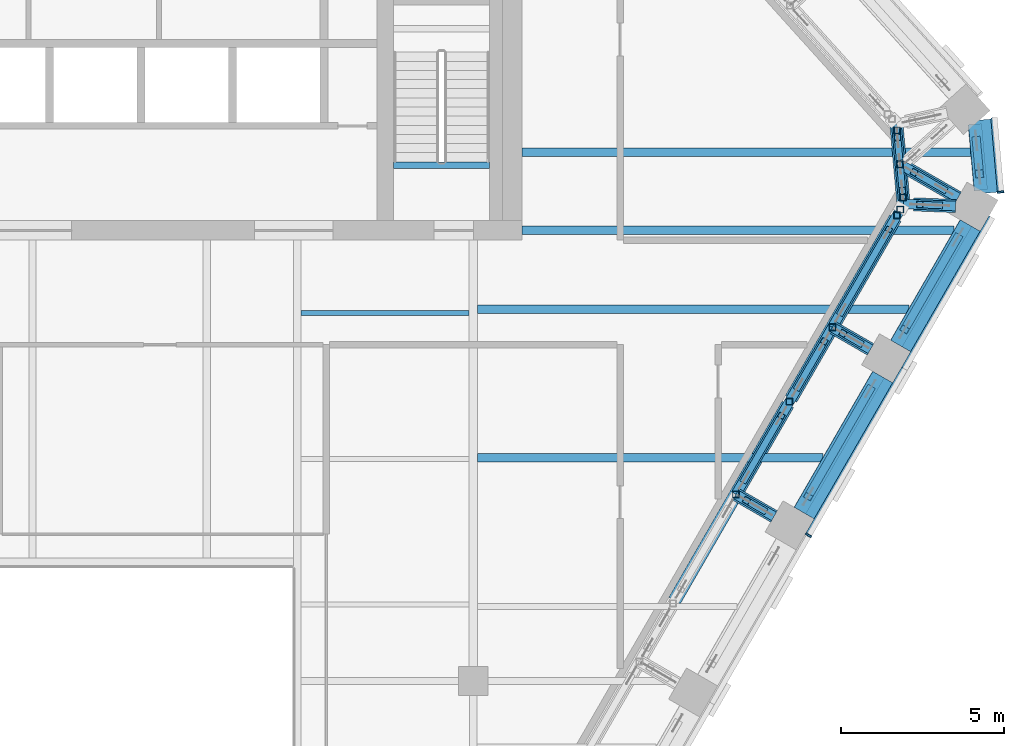
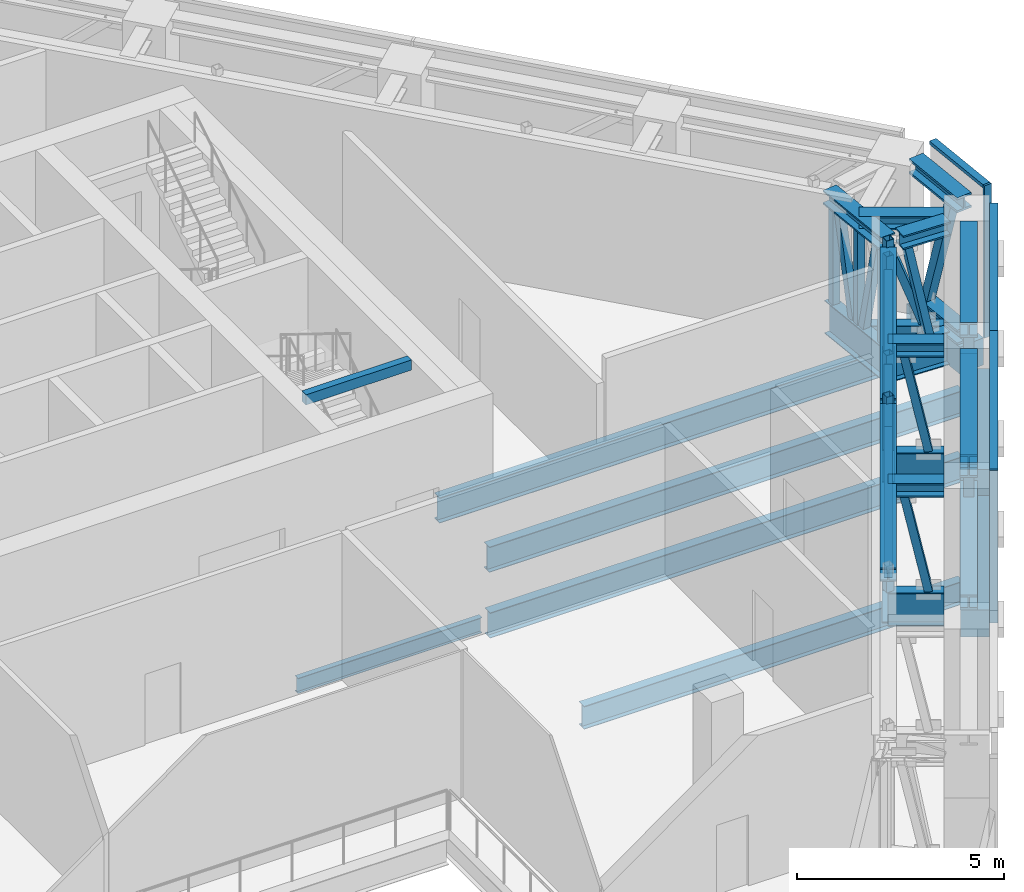
# One storey, part 9 of 25: 45 members, 9 beams, 2 elements without a shape of their own.
"""IFC4 building model written with IfcOpenShell, lengths in metres."""

from ifc_helpers import new_model, si_unit, direction, frame, origin, origin_2d, place, context, subcontext, project, spatial, rectangle, hollow_rectangle, i_section, extrude, material, layer, layer_set, material_profile, profile_set, type_object, element, aggregate, save


model = new_model("IFC4")

# Units and contexts
model_context = context("Model", 3, precision=1e-05, world=origin(), true_north=direction((0.0, 1.0)))
body_context = subcontext(model_context, "Body", "Model", "MODEL_VIEW")
ifc_project = project(units=[si_unit("LENGTHUNIT", "METRE"), si_unit("AREAUNIT", "SQUARE_METRE"), si_unit("VOLUMEUNIT", "CUBIC_METRE"), si_unit("PLANEANGLEUNIT", "RADIAN"), si_unit("MASSUNIT", "GRAM", prefix="KILO")], contexts=[model_context])

# Site, building, storey
site_placement = place(None, origin())
site = spatial("IfcSite", under=ifc_project, at=site_placement, CompositionType="ELEMENT")
building_placement = place(site_placement, origin())
building = spatial("IfcBuilding", under=site, at=building_placement, Name="Isthmus Gate Tower", CompositionType="ELEMENT")
storey_placement = place(building_placement, frame((0.0, 0.0, 256.449951171875)))
storey = spatial("IfcBuildingStorey", under=building, at=storey_placement, Name="L65", CompositionType="ELEMENT", Elevation=256.449951171875)

# Members
ifc_material_1 = material(Name="Structural steel ASTM A913 Gr 65", Category="steel")
ifc_material_profile_1 = material_profile(ifc_material_1, i_section(OverallWidth=0.416015625, OverallDepth=0.444580078125, WebThickness=0.039794921875, FlangeThickness=0.0634765625, at=origin_2d()), Name="W14X342")
ifc_profile_set_1 = profile_set([ifc_material_profile_1], Name="Structural steel ASTM A913 Gr 65")
member_type_1 = type_object("IfcMemberType", Name="BELT TRUSS CHORD W14X342", PredefinedType="CHORD", material=ifc_profile_set_1)
for number, where, z_axis, x_axis, name in (
    (1, (28.865478515625, 3.552978515625, 0.222412109375), (0.089450203397, -0.995991295701, 0.0), (0.995991295701, 0.089450203397, 0.0), "str-belt05-L65-01"),
    (2, (28.865478515625, 3.552978515625, 4.127685546875), (0.089450203397, -0.995991295701, 0.0), (0.995991295701, 0.089450203397, 0.0), "str-belt05-L65-02"),
):
    element("IfcMember", number, at=place(storey_placement, frame(where, z_axis=z_axis, x_axis=x_axis)), inside=storey, type_object=member_type_1, Name=name, PredefinedType="CHORD", context=body_context, shape_type="SweptSolid", body=[
        extrude(i_section(OverallWidth=0.416015625, OverallDepth=0.444580078125, WebThickness=0.039794921875, FlangeThickness=0.0634765625, at=origin_2d()), origin(), (0.0, 0.0, 1.0), 2.02783203125),
    ])
for number, where, z_axis, x_axis, name in (
    (3, (28.59326171875, 0.52490234375, 0.222412109375), (-0.500021719575, -0.866012863619, 0.0), (0.866012863619, -0.500021719575, 0.0), "str-belt06-L65-01"),
    (4, (28.59326171875, 0.52490234375, 4.127685546875), (-0.500021719575, -0.866012863619, 0.0), (0.866012863619, -0.500021719575, 0.0), "str-belt06-L65-02"),
):
    element("IfcMember", number, at=place(storey_placement, frame(where, z_axis=z_axis, x_axis=x_axis)), inside=storey, type_object=member_type_1, Name=name, PredefinedType="CHORD", context=body_context, shape_type="SweptSolid", body=[
        extrude(i_section(OverallWidth=0.416015625, OverallDepth=0.444580078125, WebThickness=0.039794921875, FlangeThickness=0.0634765625, at=origin_2d()), origin(), (0.0, 0.0, 1.0), 4.260498046875),
    ])
for number, where, z_axis, x_axis, name in (
    (5, (25.912841796875, -4.117431640625, 0.222412109375), (-0.500003616288, -0.866023315909, 0.0), (0.866023315909, -0.500003616288, 0.0), "str-belt07-L65-01"),
    (6, (25.912841796875, -4.117431640625, 4.127685546875), (-0.500003616288, -0.866023315909, 0.0), (0.866023315909, -0.500003616288, 0.0), "str-belt07-L65-02"),
):
    element("IfcMember", number, at=place(storey_placement, frame(where, z_axis=z_axis, x_axis=x_axis)), inside=storey, type_object=member_type_1, Name=name, PredefinedType="CHORD", context=body_context, shape_type="SweptSolid", body=[
        extrude(i_section(OverallWidth=0.416015625, OverallDepth=0.444580078125, WebThickness=0.039794921875, FlangeThickness=0.0634765625, at=origin_2d()), origin(), (0.0, 0.0, 1.0), 4.810546875),
    ])

# Curtain wall, member
ifc_material_2 = material(Name="Aluminium, pale champagne anodised", Category="aluminium")
ifc_layer = layer(ifc_material_2, 0.199951171875)
ifc_layer_set = layer_set([ifc_layer], Name="CW-2 LOUVRE CURTAIN WALL 200 DEEP")
curtain_wall_type = type_object("IfcCurtainWallType", Name="CW-2 LOUVRE CURTAIN WALL 200 DEEP", PredefinedType="NOTDEFINED", material=ifc_layer_set)
curtain_wall_1_placement = place(storey_placement, origin())
curtain_wall_1 = element("IfcCurtainWall", 7, at=curtain_wall_1_placement, inside=storey, type_object=curtain_wall_type, Name="CW-2 SE L65", PredefinedType="NOTDEFINED")
ifc_material_3 = material(Name="Aluminium, pale champagne anodised", Category="aluminium")
ifc_material_profile_2 = material_profile(ifc_material_3, rectangle(XDim=0.06005859375, YDim=0.199951171875, at=origin_2d()), Name="60x200")
ifc_profile_set_2 = profile_set([ifc_material_profile_2], Name="Aluminium, pale champagne anodised")
member_type_2 = type_object("IfcMemberType", Name="CW-2 MULLION 60 X 200", PredefinedType="MULLION", material=ifc_profile_set_2)
member_1_placement = place(storey_placement, frame((23.767333984375, -9.033935546875, 0.0), z_axis=(0.0, 0.0, 1.0), x_axis=(0.5, 0.866025403784, 0.0)))
member_1 = element("IfcMember", 8, at=member_1_placement, type_object=member_type_2, Name="CW-2 mullion", PredefinedType="MULLION", context=body_context, shape_type="SweptSolid", body=[
    extrude(rectangle(XDim=0.06005859375, YDim=0.199951171875, at=origin_2d()), origin(), (0.0, 0.0, 1.0), 4.5),
])

curtain_wall_2_placement = place(storey_placement, origin())
curtain_wall_2 = element("IfcCurtainWall", 9, at=curtain_wall_2_placement, inside=storey, type_object=curtain_wall_type, Name="CW-2 SE-NE L65", PredefinedType="NOTDEFINED")
member_2_placement = place(storey_placement, frame((29.654296875, 1.4765625, 0.0), z_axis=(0.0, 0.0, 1.0), x_axis=(-0.089396669717, 0.995996102123, 0.0)))
member_2 = element("IfcMember", 10, at=member_2_placement, type_object=member_type_2, Name="CW-2 mullion", PredefinedType="MULLION", context=body_context, shape_type="SweptSolid", body=[
    extrude(rectangle(XDim=0.06005859375, YDim=0.199951171875, at=origin_2d()), origin(), (0.0, 0.0, 1.0), 4.5),
])

# Member
ifc_material_4 = material(Name="Aluminium, pale champagne anodised", Category="aluminium")
ifc_material_profile_3 = material_profile(ifc_material_4, rectangle(XDim=0.199951171875, YDim=0.10009765625, at=origin_2d()), Name="200x100")
ifc_profile_set_3 = profile_set([ifc_material_profile_3], Name="Aluminium, pale champagne anodised")
member_type_3 = type_object("IfcMemberType", Name="CW-2 TRANSOM 200 X 100", PredefinedType="USERDEFINED", material=ifc_profile_set_3)
member_3_placement = place(storey_placement, frame((23.7822265625, -9.0078125, 4.449951171875), z_axis=(0.500007820066, 0.86602088882, 0.0), x_axis=(-0.86602088882, 0.500007820066, 0.0)))
member_3 = element("IfcMember", 11, at=member_3_placement, type_object=member_type_3, Name="CW-2 transom", ObjectType="TRANSOM", PredefinedType="USERDEFINED", context=body_context, shape_type="SweptSolid", body=[
    extrude(rectangle(XDim=0.199951171875, YDim=0.10009765625, at=origin_2d()), origin(), (0.0, 0.0, 1.0), 5.8505859375),
])

member_4_placement = place(storey_placement, frame((26.70751953125, -3.941162109375, 4.449951171875), z_axis=(0.50002338526, 0.866011901877, 0.0), x_axis=(-0.866011901877, 0.50002338526, 0.0)))
member_4 = element("IfcMember", 12, at=member_4_placement, type_object=member_type_3, Name="CW-2 transom", ObjectType="TRANSOM", PredefinedType="USERDEFINED", context=body_context, shape_type="SweptSolid", body=[
    extrude(rectangle(XDim=0.199951171875, YDim=0.10009765625, at=origin_2d()), origin(), (0.0, 0.0, 1.0), 5.360595703125),
])

aggregate(curtain_wall_1, [member_1, member_3, member_4])

member_5_placement = place(storey_placement, frame((29.651611328125, 1.506591796875, 4.449951171875), z_axis=(-0.089395362867, 0.995996219419, 0.0), x_axis=(-0.995996219419, -0.089395362867, 0.0)))
member_5 = element("IfcMember", 13, at=member_5_placement, type_object=member_type_3, Name="CW-2 transom", ObjectType="TRANSOM", PredefinedType="USERDEFINED", context=body_context, shape_type="SweptSolid", body=[
    extrude(rectangle(XDim=0.199951171875, YDim=0.10009765625, at=origin_2d()), origin(), (0.0, 0.0, 1.0), 2.258544921875),
])

aggregate(curtain_wall_2, [member_2, member_5])

# Beams
ifc_material_5 = material(Name="Concrete f'c 50 MPa", Category="concrete")
ifc_material_profile_4 = material_profile(ifc_material_5, rectangle(XDim=0.699951171875, YDim=0.800048828125, at=origin_2d()), Name="RC 700X800")
ifc_profile_set_4 = profile_set([ifc_material_profile_4], Name="Concrete f'c 50 MPa")
beam_type_1 = type_object("IfcBeamType", Name="RC SPANDREL 700 X 800", PredefinedType="SPANDREL", material=ifc_profile_set_4)
beam_1_placement = place(storey_placement, frame((29.0048828125, 3.678466796875, -0.39990234375), z_axis=(0.089359478208, -0.995999439585, 0.0), x_axis=(0.995999439585, 0.089359478208, 0.0)))
element("IfcBeam", 14, at=beam_1_placement, inside=storey, type_object=beam_type_1, Name="str-spandrel-L65-05", PredefinedType="SPANDREL", context=body_context, shape_type="SweptSolid", body=[
    extrude(rectangle(XDim=0.699951171875, YDim=0.800048828125, at=origin_2d()), origin(), (0.0, 0.0, 1.0), 2.245849609375),
])
beam_2_placement = place(storey_placement, frame((28.72314453125, 0.449951171875, -0.39990234375), z_axis=(-0.500021719575, -0.866012863619, 0.0), x_axis=(0.866012863619, -0.500021719575, 0.0)))
element("IfcBeam", 15, at=beam_2_placement, inside=storey, type_object=beam_type_1, Name="str-spandrel-L65-06", PredefinedType="SPANDREL", context=body_context, shape_type="SweptSolid", body=[
    extrude(rectangle(XDim=0.699951171875, YDim=0.800048828125, at=origin_2d()), origin(), (0.0, 0.0, 1.0), 4.260498046875),
])
beam_3_placement = place(storey_placement, frame((26.04296875, -4.1923828125, -0.39990234375), z_axis=(-0.500019702373, -0.866014028315, 0.0), x_axis=(0.866014028315, -0.500019702373, 0.0)))
element("IfcBeam", 16, at=beam_3_placement, inside=storey, type_object=beam_type_1, Name="str-spandrel-L65-07", PredefinedType="SPANDREL", context=body_context, shape_type="SweptSolid", body=[
    extrude(rectangle(XDim=0.699951171875, YDim=0.800048828125, at=origin_2d()), origin(), (0.0, 0.0, 1.0), 4.810791015625),
])
ifc_material_6 = material(Name="Concrete f'c 40 MPa", Category="concrete")
ifc_material_profile_5 = material_profile(ifc_material_6, rectangle(XDim=0.199951171875, YDim=0.300048828125, at=origin_2d()), Name="STAIR LANDING BEAM RC 200 X 300")
ifc_profile_set_5 = profile_set([ifc_material_profile_5], Name="Concrete f'c 40 MPa")
beam_type_2 = type_object("IfcBeamType", Name="STAIR LANDING BEAM RC 200 X 300", PredefinedType="BEAM", material=ifc_profile_set_5)
beam_4_placement = place(storey_placement, frame((11.050048828125, 2.2998046875, 4.199951171875), z_axis=(1.0, 0.0, 0.0), x_axis=(0.0, 1.0, 0.0)))
element("IfcBeam", 17, at=beam_4_placement, inside=storey, type_object=beam_type_2, Name="L65 ST8 floor-edge seat beam", PredefinedType="BEAM", context=body_context, shape_type="SweptSolid", body=[
    extrude(rectangle(XDim=0.199951171875, YDim=0.300048828125, at=origin_2d()), origin(), (0.0, 0.0, 1.0), 2.949951171875),
])
ifc_material_7 = material(Name="Structural steel ASTM A992 Gr 50", Category="steel")
ifc_material_profile_6 = material_profile(ifc_material_7, i_section(OverallWidth=0.15234375, OverallDepth=0.45068359375, WebThickness=0.0078125, FlangeThickness=0.010986328125, at=origin_2d()), Name="W18X35")
ifc_profile_set_6 = profile_set([ifc_material_profile_6], Name="Structural steel ASTM A992 Gr 50")
beam_type_3 = type_object("IfcBeamType", Name="STEEL FLOOR BEAM W18X35", PredefinedType="JOIST", material=ifc_profile_set_6)
beam_5_placement = place(storey_placement, frame((8.228515625, -2.232421875, -0.525390625), z_axis=(1.0, 0.0, 0.0), x_axis=(0.0, 1.0, 0.0)))
element("IfcBeam", 18, at=beam_5_placement, inside=storey, type_object=beam_type_3, Name="str-beam-L65-10-02", PredefinedType="JOIST", context=body_context, shape_type="SweptSolid", body=[
    extrude(i_section(OverallWidth=0.15234375, OverallDepth=0.45068359375, WebThickness=0.0078125, FlangeThickness=0.010986328125, at=origin_2d()), origin(), (0.0, 0.0, 1.0), 5.1396484375),
])
ifc_material_8 = material(Name="Structural steel ASTM A992 Gr 50", Category="steel")
ifc_material_profile_7 = material_profile(ifc_material_8, i_section(OverallWidth=0.25390625, OverallDepth=0.679443359375, WebThickness=0.010986328125, FlangeThickness=0.015869140625, at=origin_2d()), Name="W27X84")
ifc_profile_set_7 = profile_set([ifc_material_profile_7], Name="Structural steel ASTM A992 Gr 50")
beam_type_4 = type_object("IfcBeamType", Name="STEEL FLOOR BEAM W27X84", PredefinedType="JOIST", material=ifc_profile_set_7)
beam_6_placement = place(storey_placement, frame((13.6318359375, -6.665771484375, -0.6396484375), z_axis=(1.0, 0.0, 0.0), x_axis=(0.0, 1.0, 0.0)))
element("IfcBeam", 19, at=beam_6_placement, inside=storey, type_object=beam_type_4, Name="str-beam-L65-12-01", PredefinedType="JOIST", context=body_context, shape_type="SweptSolid", body=[
    extrude(i_section(OverallWidth=0.25390625, OverallDepth=0.679443359375, WebThickness=0.010986328125, FlangeThickness=0.015869140625, at=origin_2d()), origin(), (0.0, 0.0, 1.0), 10.578857421875),
])
ifc_material_9 = material(Name="Structural steel ASTM A992 Gr 50", Category="steel")
ifc_material_profile_8 = material_profile(ifc_material_9, i_section(OverallWidth=0.263427734375, OverallDepth=0.749267578125, WebThickness=0.0126953125, FlangeThickness=0.015869140625, at=origin_2d()), Name="W30X90")
ifc_profile_set_8 = profile_set([ifc_material_profile_8], Name="Structural steel ASTM A992 Gr 50")
beam_type_5 = type_object("IfcBeamType", Name="STEEL FLOOR BEAM W30X90", PredefinedType="JOIST", material=ifc_profile_set_8)
beam_7_placement = place(storey_placement, frame((13.6318359375, -2.10986328125, -0.674560546875), z_axis=(1.0, 0.0, 0.0), x_axis=(0.0, 1.0, 0.0)))
element("IfcBeam", 20, at=beam_7_placement, inside=storey, type_object=beam_type_5, Name="str-beam-L65-12-02", PredefinedType="JOIST", context=body_context, shape_type="SweptSolid", body=[
    extrude(i_section(OverallWidth=0.263427734375, OverallDepth=0.749267578125, WebThickness=0.0126953125, FlangeThickness=0.015869140625, at=origin_2d()), origin(), (0.0, 0.0, 1.0), 13.209228515625),
])
beam_8_placement = place(storey_placement, frame((15.0, 2.699951171875, -0.674560546875), z_axis=(1.0, 0.0, 0.0), x_axis=(0.0, 1.0, 0.0)))
element("IfcBeam", 21, at=beam_8_placement, inside=storey, type_object=beam_type_5, Name="str-beam-L65-13-00", PredefinedType="JOIST", context=body_context, shape_type="SweptSolid", body=[
    extrude(i_section(OverallWidth=0.263427734375, OverallDepth=0.749267578125, WebThickness=0.0126953125, FlangeThickness=0.015869140625, at=origin_2d()), origin(), (0.0, 0.0, 1.0), 13.7412109375),
])
ifc_material_10 = material(Name="Structural steel ASTM A992 Gr 50", Category="steel")
ifc_material_profile_9 = material_profile(ifc_material_10, i_section(OverallWidth=0.263427734375, OverallDepth=0.749267578125, WebThickness=0.0126953125, FlangeThickness=0.015869140625, at=origin_2d()), Name="W30X90")
ifc_profile_set_9 = profile_set([ifc_material_profile_9], Name="Structural steel ASTM A992 Gr 50")
beam_type_6 = type_object("IfcBeamType", Name="STEEL GIRDER W30X90", PredefinedType="BEAM", material=ifc_profile_set_9)
beam_9_placement = place(storey_placement, frame((15.0, 0.300048828125, -0.674560546875), z_axis=(1.0, 0.0, 0.0), x_axis=(0.0, 1.0, 0.0)))
element("IfcBeam", 22, at=beam_9_placement, inside=storey, type_object=beam_type_6, Name="str-girder-L65-10", PredefinedType="BEAM", context=body_context, shape_type="SweptSolid", body=[
    extrude(i_section(OverallWidth=0.263427734375, OverallDepth=0.749267578125, WebThickness=0.0126953125, FlangeThickness=0.015869140625, at=origin_2d()), origin(), (0.0, 0.0, 1.0), 13.232421875),
])

# Members
ifc_material_11 = material(Name="Structural steel ASTM A913 Gr 65", Category="steel")
ifc_material_profile_10 = material_profile(ifc_material_11, i_section(OverallWidth=0.4033203125, OverallDepth=0.406494140625, WebThickness=0.027099609375, FlangeThickness=0.04443359375, at=origin_2d()), Name="W14X233")
ifc_profile_set_10 = profile_set([ifc_material_profile_10], Name="Structural steel ASTM A913 Gr 65")
member_type_4 = type_object("IfcMemberType", Name="TRANSFER TRUSS CHORD W14X233", PredefinedType="CHORD", material=ifc_profile_set_10)
member_6_placement = place(storey_placement, frame((26.459716796875, 3.56298828125, 4.046875), z_axis=(0.089337705809, -0.99600139273, 0.0), x_axis=(0.99600139273, 0.089337705809, 0.0)))
element("IfcMember", 23, at=member_6_placement, inside=storey, type_object=member_type_4, Name="str-ring02-L65-05", PredefinedType="CHORD", context=body_context, shape_type="SweptSolid", body=[
    extrude(i_section(OverallWidth=0.4033203125, OverallDepth=0.406494140625, WebThickness=0.027099609375, FlangeThickness=0.04443359375, at=origin_2d()), origin(), (0.0, 0.0, 1.0), 2.462158203125),
])
member_7_placement = place(storey_placement, frame((26.428955078125, 0.67626953125, 4.046875), z_axis=(-0.499985980801, -0.866033497622, 0.0), x_axis=(0.866033497622, -0.499985980801, 0.0)))
element("IfcMember", 24, at=member_7_placement, inside=storey, type_object=member_type_4, Name="str-ring03-L65-15", PredefinedType="CHORD", context=body_context, shape_type="SweptSolid", body=[
    extrude(i_section(OverallWidth=0.4033203125, OverallDepth=0.406494140625, WebThickness=0.027099609375, FlangeThickness=0.04443359375, at=origin_2d()), origin(), (0.0, 0.0, 1.0), 6.388916015625),
])
member_8_placement = place(storey_placement, frame((23.1328125, -5.03271484375, 4.046875), z_axis=(-0.50000294753, -0.86602370202, 0.0), x_axis=(0.86602370202, -0.50000294753, 0.0)))
element("IfcMember", 25, at=member_8_placement, inside=storey, type_object=member_type_4, Name="str-ring03-L65-16", PredefinedType="CHORD", context=body_context, shape_type="SweptSolid", body=[
    extrude(i_section(OverallWidth=0.4033203125, OverallDepth=0.406494140625, WebThickness=0.027099609375, FlangeThickness=0.04443359375, at=origin_2d()), origin(), (0.0, 0.0, 1.0), 6.931640625),
])
for number, where, z_axis, x_axis, name in (
    (26, (22.713134765625, -8.4599609375, 4.046875), (-0.866019956843, 0.50000943426, 0.0), (-0.50000943426, -0.866019956843, 0.0), "str-link22-L65-02"),
    (27, (25.66845703125, -3.341064453125, 4.046875), (-0.866019956843, 0.50000943426, 0.0), (-0.50000943426, -0.866019956843, 0.0), "str-link23-L65-02"),
):
    element("IfcMember", number, at=place(storey_placement, frame(where, z_axis=z_axis, x_axis=x_axis)), inside=storey, type_object=member_type_4, Name=name, PredefinedType="CHORD", context=body_context, shape_type="SweptSolid", body=[
        extrude(i_section(OverallWidth=0.4033203125, OverallDepth=0.406494140625, WebThickness=0.027099609375, FlangeThickness=0.04443359375, at=origin_2d()), origin(), (0.0, 0.0, 1.0), 1.35009765625),
    ])
member_9_placement = place(storey_placement, frame((28.3486328125, 1.30126953125, 4.046875), z_axis=(-0.866017268904, 0.500014089762, 0.0), x_axis=(-0.500014089762, -0.866017268904, 0.0)))
element("IfcMember", 28, at=member_9_placement, inside=storey, type_object=member_type_4, Name="str-link24-L65-02", PredefinedType="CHORD", context=body_context, shape_type="SweptSolid", body=[
    extrude(i_section(OverallWidth=0.4033203125, OverallDepth=0.406494140625, WebThickness=0.027099609375, FlangeThickness=0.04443359375, at=origin_2d()), origin(), (0.0, 0.0, 1.0), 2.05322265625),
])
member_10_placement = place(storey_placement, frame((28.275390625, 1.0478515625, 4.046875), z_axis=(-0.999226132338, 0.039333655474, 0.0), x_axis=(-0.039333655474, -0.999226132338, 0.0)))
element("IfcMember", 29, at=member_10_placement, inside=storey, type_object=member_type_4, Name="str-link33-L65-02", PredefinedType="CHORD", context=body_context, shape_type="SweptSolid", body=[
    extrude(i_section(OverallWidth=0.4033203125, OverallDepth=0.406494140625, WebThickness=0.027099609375, FlangeThickness=0.04443359375, at=origin_2d()), origin(), (0.0, 0.0, 1.0), 1.291015625),
])
ifc_material_12 = material(Name="Structural steel ASTM A913 Gr 65", Category="steel")
ifc_material_profile_11 = material_profile(ifc_material_12, i_section(OverallWidth=0.29833984375, OverallDepth=0.981201171875, WebThickness=0.015869140625, FlangeThickness=0.025390625, at=origin_2d()), Name="W40X167")
ifc_profile_set_11 = profile_set([ifc_material_profile_11], Name="Structural steel ASTM A913 Gr 65")
member_type_5 = type_object("IfcMemberType", Name="TRANSFER TRUSS CHORD W40X167", PredefinedType="CHORD", material=ifc_profile_set_11)
member_11_placement = place(storey_placement, frame((26.459716796875, 3.56298828125, 0.490478515625), z_axis=(0.089337705809, -0.99600139273, 0.0), x_axis=(0.99600139273, 0.089337705809, 0.0)))
element("IfcMember", 30, at=member_11_placement, inside=storey, type_object=member_type_5, Name="str-ring02-L65-04", PredefinedType="CHORD", context=body_context, shape_type="SweptSolid", body=[
    extrude(i_section(OverallWidth=0.29833984375, OverallDepth=0.981201171875, WebThickness=0.015869140625, FlangeThickness=0.025390625, at=origin_2d()), origin(), (0.0, 0.0, 1.0), 2.462158203125),
])
member_12_placement = place(storey_placement, frame((26.6796875, 1.110595703125, 0.490478515625), z_axis=(-0.499998685169, -0.866026162901, 0.0), x_axis=(0.866026162901, -0.499998685169, 0.0)))
element("IfcMember", 31, at=member_12_placement, inside=storey, type_object=member_type_5, Name="str-ring03-L65-10", PredefinedType="CHORD", context=body_context, shape_type="SweptSolid", body=[
    extrude(i_section(OverallWidth=0.29833984375, OverallDepth=0.981201171875, WebThickness=0.015869140625, FlangeThickness=0.025390625, at=origin_2d()), origin(), (0.0, 0.0, 1.0), 4.36083984375),
])
member_13_placement = place(storey_placement, frame((24.499267578125, -2.666015625, 0.490478515625), z_axis=(-0.500003703423, -0.866023265602, 0.0), x_axis=(0.866023265602, -0.500003703423, 0.0)))
element("IfcMember", 32, at=member_13_placement, inside=storey, type_object=member_type_5, Name="str-ring03-L65-11", PredefinedType="CHORD", context=body_context, shape_type="SweptSolid", body=[
    extrude(i_section(OverallWidth=0.29833984375, OverallDepth=0.981201171875, WebThickness=0.015869140625, FlangeThickness=0.025390625, at=origin_2d()), origin(), (0.0, 0.0, 1.0), 5.9111328125),
])
for number, where, z_axis, x_axis, name in (
    (33, (22.713134765625, -8.4599609375, 0.490478515625), (-0.866019956843, 0.50000943426, 0.0), (-0.50000943426, -0.866019956843, 0.0), "str-link22-L65-01"),
    (34, (25.66845703125, -3.341064453125, 0.490478515625), (-0.866019956843, 0.50000943426, 0.0), (-0.50000943426, -0.866019956843, 0.0), "str-link23-L65-01"),
):
    element("IfcMember", number, at=place(storey_placement, frame(where, z_axis=z_axis, x_axis=x_axis)), inside=storey, type_object=member_type_5, Name=name, PredefinedType="CHORD", context=body_context, shape_type="SweptSolid", body=[
        extrude(i_section(OverallWidth=0.29833984375, OverallDepth=0.981201171875, WebThickness=0.015869140625, FlangeThickness=0.025390625, at=origin_2d()), origin(), (0.0, 0.0, 1.0), 1.35009765625),
    ])
member_14_placement = place(storey_placement, frame((28.3486328125, 1.30126953125, 0.490478515625), z_axis=(-0.866017268904, 0.500014089762, 0.0), x_axis=(-0.500014089762, -0.866017268904, 0.0)))
element("IfcMember", 35, at=member_14_placement, inside=storey, type_object=member_type_5, Name="str-link24-L65-01", PredefinedType="CHORD", context=body_context, shape_type="SweptSolid", body=[
    extrude(i_section(OverallWidth=0.29833984375, OverallDepth=0.981201171875, WebThickness=0.015869140625, FlangeThickness=0.025390625, at=origin_2d()), origin(), (0.0, 0.0, 1.0), 2.05322265625),
])
member_15_placement = place(storey_placement, frame((28.275390625, 1.0478515625, 0.490478515625), z_axis=(-0.999227837123, 0.039290323461, 0.0), x_axis=(-0.039290323461, -0.999227837123, 0.0)))
element("IfcMember", 36, at=member_15_placement, inside=storey, type_object=member_type_5, Name="str-link33-L65-01", PredefinedType="CHORD", context=body_context, shape_type="SweptSolid", body=[
    extrude(i_section(OverallWidth=0.29833984375, OverallDepth=0.981201171875, WebThickness=0.015869140625, FlangeThickness=0.025390625, at=origin_2d()), origin(), (0.0, 0.0, 1.0), 1.596923828125),
])
ifc_material_13 = material(Name="Structural steel ASTM A500 Gr C", Category="steel")
ifc_material_profile_12 = material_profile(ifc_material_13, hollow_rectangle(XDim=0.203125, YDim=0.203125, WallThickness=0.01171875, at=origin_2d()), Name="HSS8X8X1/2")
ifc_profile_set_12 = profile_set([ifc_material_profile_12], Name="Structural steel ASTM A500 Gr C")
member_type_6 = type_object("IfcMemberType", Name="TRANSFER TRUSS DIAGONAL HSS8X8X1/2", PredefinedType="BRACE", material=ifc_profile_set_12)
for number, where, z_axis, x_axis, name in (
    (37, (26.55078125, 2.547119140625, 0.981201171875), (-0.018364487949, 0.204263190963, 0.978743732751), (-0.995982792172, -0.089544836239, 0.0), "str-ring02-L65-06"),
    (38, (26.58935546875, 2.11767578125, 0.981201171875), (0.018364487949, -0.204263190963, 0.978743732751), (0.995982792172, 0.089544836239, 0.0), "str-ring02-L65-07"),
):
    element("IfcMember", number, at=place(storey_placement, frame(where, z_axis=z_axis, x_axis=x_axis)), inside=storey, type_object=member_type_6, Name=name, PredefinedType="BRACE", context=body_context, shape_type="SweptSolid", body=[
        extrude(hollow_rectangle(XDim=0.203125, YDim=0.203125, WallThickness=0.01171875, at=origin_2d()), origin(), (0.0, 0.0, 1.0), 2.9248046875),
    ])
member_16_placement = place(storey_placement, frame((24.749267578125, -2.233154296875, 0.981201171875), z_axis=(0.359464229281, 0.622660333834, 0.695039262586), x_axis=(-0.866042797968, 0.49996987118, 0.0)))
element("IfcMember", 39, at=member_16_placement, inside=storey, type_object=member_type_6, Name="str-ring03-L65-19", PredefinedType="BRACE", context=body_context, shape_type="SweptSolid", body=[
    extrude(hollow_rectangle(XDim=0.203125, YDim=0.203125, WallThickness=0.01171875, at=origin_2d()), origin(), (0.0, 0.0, 1.0), 4.11865234375),
])
member_17_placement = place(storey_placement, frame((23.433837890625, -4.51171875, 0.981201171875), z_axis=(0.247503153628, 0.428758457154, 0.86885463362), x_axis=(-0.866060962434, 0.499938405553, 0.0)))
element("IfcMember", 40, at=member_17_placement, inside=storey, type_object=member_type_6, Name="str-ring03-L65-20", PredefinedType="BRACE", context=body_context, shape_type="SweptSolid", body=[
    extrude(hollow_rectangle(XDim=0.203125, YDim=0.203125, WallThickness=0.01171875, at=origin_2d()), origin(), (0.0, 0.0, 1.0), 3.294677734375),
])
member_18_placement = place(storey_placement, frame((21.793701171875, -7.35205078125, 0.981201171875), z_axis=(0.311552123902, 0.539512211134, 0.7822159856), x_axis=(-0.865980498466, 0.500077770228, 0.0)))
element("IfcMember", 41, at=member_18_placement, inside=storey, type_object=member_type_6, Name="str-ring03-L65-21", PredefinedType="BRACE", context=body_context, shape_type="SweptSolid", body=[
    extrude(hollow_rectangle(XDim=0.203125, YDim=0.203125, WallThickness=0.01171875, at=origin_2d()), origin(), (0.0, 0.0, 1.0), 3.659423828125),
])
for number, where, z_axis, x_axis, name in (
    (42, (22.38818359375, -8.2724609375, 0.981201171875), (-0.177633064455, 0.102589772658, 0.978734812377), (-0.50012165622, -0.865955154139, 0.0), "str-link22-L65-03"),
    (43, (25.343505859375, -3.153564453125, 0.981201171875), (-0.177633064455, 0.102589772658, 0.978734812377), (-0.50012165622, -0.865955154139, 0.0), "str-link23-L65-03"),
):
    element("IfcMember", number, at=place(storey_placement, frame(where, z_axis=z_axis, x_axis=x_axis)), inside=storey, type_object=member_type_6, Name=name, PredefinedType="BRACE", context=body_context, shape_type="SweptSolid", body=[
        extrude(hollow_rectangle(XDim=0.203125, YDim=0.203125, WallThickness=0.01171875, at=origin_2d()), origin(), (0.0, 0.0, 1.0), 2.9248046875),
    ])
member_19_placement = place(storey_placement, frame((27.91552734375, 1.55126953125, 0.981201171875), z_axis=(-0.299037004544, 0.172650647431, 0.938492740438), x_axis=(-0.500003371769, -0.866023457084, 0.0)))
element("IfcMember", 44, at=member_19_placement, inside=storey, type_object=member_type_6, Name="str-link24-L65-03", PredefinedType="BRACE", context=body_context, shape_type="SweptSolid", body=[
    extrude(hollow_rectangle(XDim=0.203125, YDim=0.203125, WallThickness=0.01171875, at=origin_2d()), origin(), (0.0, 0.0, 1.0), 3.050048828125),
])
member_20_placement = place(storey_placement, frame((27.77734375, 1.0673828125, 0.981201171875), z_axis=(-0.205010797041, 0.008096924802, 0.978726219586), x_axis=(-0.039464346493, -0.999220979241, 0.0)))
element("IfcMember", 45, at=member_20_placement, inside=storey, type_object=member_type_6, Name="str-link33-L65-03", PredefinedType="BRACE", context=body_context, shape_type="SweptSolid", body=[
    extrude(hollow_rectangle(XDim=0.203125, YDim=0.203125, WallThickness=0.01171875, at=origin_2d()), origin(), (0.0, 0.0, 1.0), 2.9248046875),
])
ifc_material_14 = material(Name="Structural steel ASTM A500 Gr C", Category="steel")
ifc_material_profile_13 = material_profile(ifc_material_14, hollow_rectangle(XDim=0.203125, YDim=0.203125, WallThickness=0.01171875, at=origin_2d()), Name="HSS8X8X1/2")
ifc_profile_set_13 = profile_set([ifc_material_profile_13], Name="Structural steel ASTM A500 Gr C")
member_type_7 = type_object("IfcMemberType", Name="TRANSFER TRUSS POST HSS8X8X1/2", PredefinedType="POST", material=ifc_profile_set_13)
for number, where, z_axis, x_axis, name in (
    (46, (26.4775390625, 3.36376953125, 0.981201171875), (0.0, 0.0, 1.0), (1.0, 0.0, 0.0), "str-ring02-L65-01"),
    (47, (26.570556640625, 2.327880859375, 0.981201171875), (0.0, 0.0, 1.0), (1.0, 0.0, 0.0), "str-ring02-L65-02"),
    (48, (26.661865234375, 1.31005859375, 0.981201171875), (0.0, 0.0, 1.0), (1.0, 0.0, 0.0), "str-ring02-L65-03"),
    (49, (26.579833984375, 0.9375, 0.981201171875), (0.0, 0.0, 1.0), (1.0, 0.0, 0.0), "str-ring03-L65-01"),
):
    element("IfcMember", number, at=place(storey_placement, frame(where, z_axis=z_axis, x_axis=x_axis)), inside=storey, type_object=member_type_7, Name=name, PredefinedType="POST", context=body_context, shape_type="SweptSolid", body=[
        extrude(hollow_rectangle(XDim=0.203125, YDim=0.203125, WallThickness=0.01171875, at=origin_2d()), origin(), (0.0, 0.0, 1.0), 2.862548828125),
    ])
member_21_placement = place(storey_placement, frame((26.479736328125, 0.76416015625, 0.981201171875), z_axis=(0.0, 0.0, 1.0), x_axis=(1.0, 0.0, 0.0)))
element("IfcMember", 50, at=member_21_placement, inside=storey, type_object=member_type_7, Name="str-ring03-L65-02", PredefinedType="POST", context=body_context, shape_type="SweptSolid", body=[
    extrude(hollow_rectangle(XDim=0.203125, YDim=0.203125, WallThickness=0.01171875, at=origin_2d()), origin(), (0.0, 0.0, 1.0), 3.46875),
])
member_22_placement = place(storey_placement, frame((24.499267578125, -2.666015625, 0.981201171875), z_axis=(0.0, 0.0, 1.0), x_axis=(1.0, 0.0, 0.0)))
element("IfcMember", 51, at=member_22_placement, inside=storey, type_object=member_type_7, Name="str-ring03-L65-03", PredefinedType="POST", context=body_context, shape_type="SweptSolid", body=[
    extrude(hollow_rectangle(XDim=0.203125, YDim=0.203125, WallThickness=0.01171875, at=origin_2d()), origin(), (0.0, 0.0, 1.0), 2.862548828125),
])
member_23_placement = place(storey_placement, frame((23.183837890625, -4.944580078125, 0.981201171875), z_axis=(0.0, 0.0, 1.0), x_axis=(1.0, 0.0, 0.0)))
element("IfcMember", 52, at=member_23_placement, inside=storey, type_object=member_type_7, Name="str-ring03-L65-04", PredefinedType="POST", context=body_context, shape_type="SweptSolid", body=[
    extrude(hollow_rectangle(XDim=0.203125, YDim=0.203125, WallThickness=0.01171875, at=origin_2d()), origin(), (0.0, 0.0, 1.0), 3.46875),
])
member_24_placement = place(storey_placement, frame((21.543701171875, -7.78515625, 0.981201171875), z_axis=(0.0, 0.0, 1.0), x_axis=(1.0, 0.0, 0.0)))
element("IfcMember", 53, at=member_24_placement, inside=storey, type_object=member_type_7, Name="str-ring03-L65-05", PredefinedType="POST", context=body_context, shape_type="SweptSolid", body=[
    extrude(hollow_rectangle(XDim=0.203125, YDim=0.203125, WallThickness=0.01171875, at=origin_2d()), origin(), (0.0, 0.0, 1.0), 2.862548828125),
])
ifc_material_15 = material(Name="Structural steel ASTM A500 Gr C", Category="steel")
ifc_material_profile_14 = material_profile(ifc_material_15, hollow_rectangle(XDim=0.25390625, YDim=0.25390625, WallThickness=0.01171875, at=origin_2d()), Name="HSS10X10X1/2")
ifc_profile_set_14 = profile_set([ifc_material_profile_14], Name="Structural steel ASTM A500 Gr C")
member_type_8 = type_object("IfcMemberType", Name="TRUSS DIAGONAL HSS10X10X1/2", PredefinedType="BRACE", material=ifc_profile_set_14)
member_25_placement = place(storey_placement, frame((28.91015625, 3.054931640625, 0.444580078125), z_axis=(0.025493794463, -0.283542387758, 0.958620770059), x_axis=(0.995982281372, 0.089550517548, 0.0)))
element("IfcMember", 54, at=member_25_placement, inside=storey, type_object=member_type_8, Name="str-belt05-L65-03", PredefinedType="BRACE", context=body_context, shape_type="SweptSolid", body=[
    extrude(hollow_rectangle(XDim=0.25390625, YDim=0.25390625, WallThickness=0.01171875, at=origin_2d()), origin(), (0.0, 0.0, 1.0), 3.6103515625),
])
member_26_placement = place(storey_placement, frame((28.34326171875, 0.092041015625, 0.444580078125), z_axis=(-0.342877926518, -0.593849370785, 0.727858263898), x_axis=(0.866013511523, -0.500020597436, 0.0)))
element("IfcMember", 55, at=member_26_placement, inside=storey, type_object=member_type_8, Name="str-belt06-L65-03", PredefinedType="BRACE", context=body_context, shape_type="SweptSolid", body=[
    extrude(hollow_rectangle(XDim=0.25390625, YDim=0.25390625, WallThickness=0.01171875, at=origin_2d()), origin(), (0.0, 0.0, 1.0), 4.7548828125),
])
member_27_placement = place(storey_placement, frame((25.662841796875, -4.550537109375, 0.444580078125), z_axis=(-0.370123663103, -0.641076570241, 0.672331246559), x_axis=(0.866026613056, -0.499997905474, 0.0)))
element("IfcMember", 56, at=member_27_placement, inside=storey, type_object=member_type_8, Name="str-belt07-L65-03", PredefinedType="BRACE", context=body_context, shape_type="SweptSolid", body=[
    extrude(hollow_rectangle(XDim=0.25390625, YDim=0.25390625, WallThickness=0.01171875, at=origin_2d()), origin(), (0.0, 0.0, 1.0), 5.147705078125),
])

save(model, "model.ifc")
